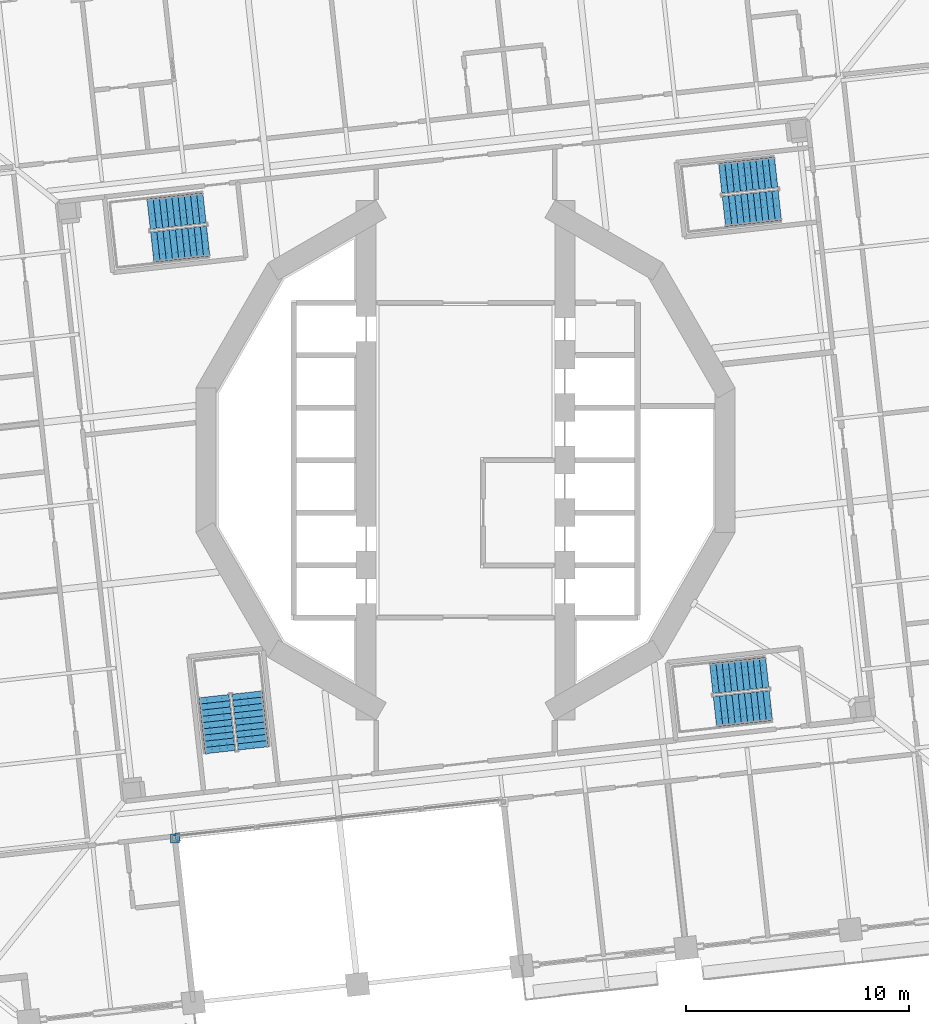
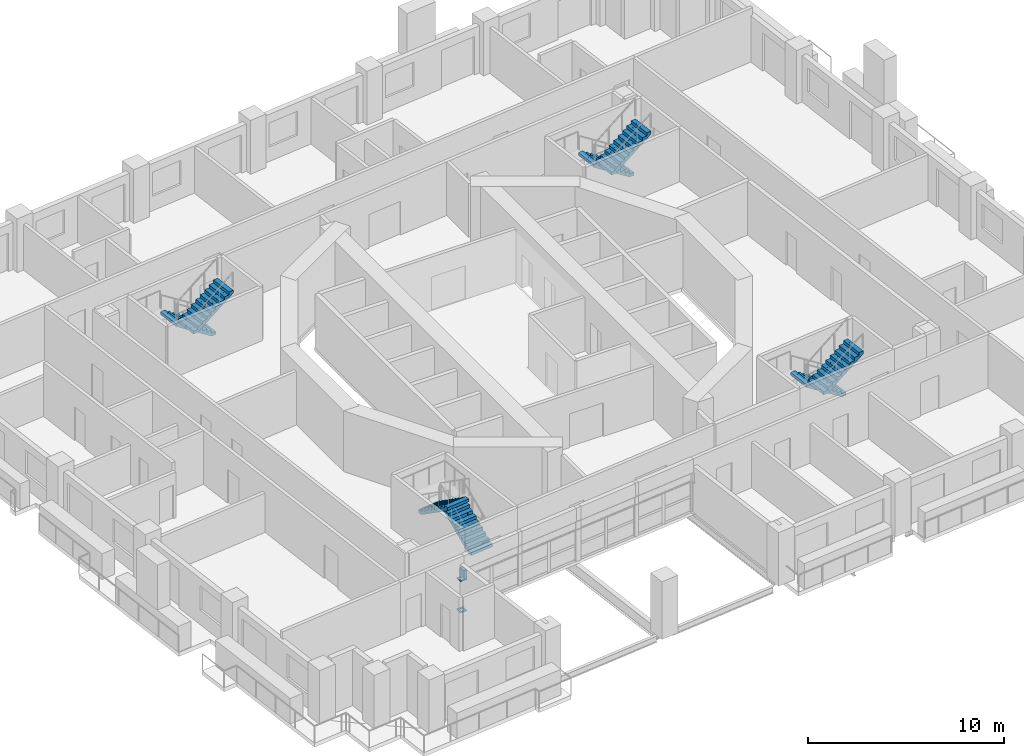
# One storey, part 13 of 21: 8 stair flights, 3 discrete accessories, 4 elements without a shape of their own.
"""IFC4 building model written with IfcOpenShell, lengths in metres."""

from ifc_helpers import new_model, si_unit, direction, frame, origin, place, context, subcontext, project, spatial, polyline, outline, extrude, material, layer, layer_set, type_object, element, aggregate, save


model = new_model("IFC4")

# Units and contexts
model_context = context("Model", 3, precision=1e-05, world=origin(), true_north=direction((0.0, 1.0)))
body_context = subcontext(model_context, "Body", "Model", "MODEL_VIEW")
ifc_project = project(units=[si_unit("LENGTHUNIT", "METRE"), si_unit("AREAUNIT", "SQUARE_METRE"), si_unit("VOLUMEUNIT", "CUBIC_METRE"), si_unit("PLANEANGLEUNIT", "RADIAN"), si_unit("MASSUNIT", "GRAM", prefix="KILO")], contexts=[model_context])

# Site, building, storey
site_placement = place(None, origin())
site = spatial("IfcSite", under=ifc_project, at=site_placement, CompositionType="ELEMENT")
building_placement = place(site_placement, origin())
building = spatial("IfcBuilding", under=site, at=building_placement, Name="Cantera Rosa Tower", CompositionType="ELEMENT")
storey_placement = place(building_placement, frame((0.0, 0.0, 80.5)))
storey = spatial("IfcBuildingStorey", under=building, at=storey_placement, Name="L17", CompositionType="ELEMENT", Elevation=80.5)

# Stair, stair flights
ifc_material_1 = material(Name="Concrete C35/45", Category="concrete")
stair_type = type_object("IfcStairType", Name="EXIT STAIR 1350 DOGLEG", PredefinedType="HALF_TURN_STAIR", material=ifc_material_1)
stair_1_placement = place(storey_placement, origin())
stair_1 = element("IfcStair", 1, at=stair_1_placement, inside=storey, type_object=stair_type, Name="L17 ST-11", PredefinedType="HALF_TURN_STAIR")
ifc_material_2 = material(Name="Concrete C35/45", Category="concrete")
stair_flight_type = type_object("IfcStairFlightType", Name="STAIR FLIGHT 1350 R20x190", PredefinedType="STRAIGHT", material=ifc_material_2)
stair_flight_1_placement = place(storey_placement, frame((13.90869140625, 12.89990234375, 0.0), z_axis=(0.0, 0.0, 1.0), x_axis=(-0.993896947056, -0.110312549749, 0.0)))
stair_flight_1 = element("IfcStairFlight", 2, at=stair_flight_1_placement, type_object=stair_flight_type, Name="ST-11 flight 1", NumberOfRisers=10, NumberOfTreads=9, PredefinedType="STRAIGHT", RiserHeight=0.19, TreadLength=0.28, context=body_context, shape_type="SweptSolid", body=[
    extrude(outline(polyline([(0.0, 0.0), (0.0, 0.18994140625), (0.280029296875, 0.18994140625), (0.280029296875, 0.3798828125), (0.56005859375, 0.3798828125), (0.56005859375, 0.570068359375), (0.840087890625, 0.570068359375), (0.840087890625, 0.760009765625), (1.1201171875, 0.760009765625), (1.1201171875, 0.949951171875), (1.39990234375, 0.949951171875), (1.39990234375, 1.139892578125), (1.679931640625, 1.139892578125), (1.679931640625, 1.330078125), (1.9599609375, 1.330078125), (1.9599609375, 1.52001953125), (2.239990234375, 1.52001953125), (2.239990234375, 1.7099609375), (2.52001953125, 1.7099609375), (2.52001953125, 1.89990234375), (2.52001953125, 1.52880859375), (0.266845703125, 0.0), (0.0, 0.0)])), frame((0.0, 0.675048828125, 0.0), z_axis=(0.0, -1.0, 0.0), x_axis=(1.0, 0.0, 0.0)), (0.0, 0.0, 1.0), 0.3359375),
    extrude(outline(polyline([(0.0, 0.0), (0.0, 0.18994140625), (0.280029296875, 0.18994140625), (0.280029296875, 0.3798828125), (0.56005859375, 0.3798828125), (0.56005859375, 0.570068359375), (0.840087890625, 0.570068359375), (0.840087890625, 0.760009765625), (1.1201171875, 0.760009765625), (1.1201171875, 0.949951171875), (1.39990234375, 0.949951171875), (1.39990234375, 1.139892578125), (1.679931640625, 1.139892578125), (1.679931640625, 1.330078125), (1.9599609375, 1.330078125), (1.9599609375, 1.52001953125), (2.239990234375, 1.52001953125), (2.239990234375, 1.7099609375), (2.52001953125, 1.7099609375), (2.52001953125, 1.89990234375), (2.52001953125, 1.52880859375), (0.266845703125, 0.0), (0.0, 0.0)])), frame((0.0, 0.337158203125, 0.0), z_axis=(0.0, -1.0, 0.0), x_axis=(1.0, 0.0, 0.0)), (0.0, 0.0, 1.0), 0.3359375),
    extrude(outline(polyline([(0.0, 0.0), (0.0, 0.18994140625), (0.280029296875, 0.18994140625), (0.280029296875, 0.3798828125), (0.56005859375, 0.3798828125), (0.56005859375, 0.570068359375), (0.840087890625, 0.570068359375), (0.840087890625, 0.760009765625), (1.1201171875, 0.760009765625), (1.1201171875, 0.949951171875), (1.39990234375, 0.949951171875), (1.39990234375, 1.139892578125), (1.679931640625, 1.139892578125), (1.679931640625, 1.330078125), (1.9599609375, 1.330078125), (1.9599609375, 1.52001953125), (2.239990234375, 1.52001953125), (2.239990234375, 1.7099609375), (2.52001953125, 1.7099609375), (2.52001953125, 1.89990234375), (2.52001953125, 1.52880859375), (0.266845703125, 0.0), (0.0, 0.0)])), frame((0.0, -0.000732421875, 0.0), z_axis=(0.0, -1.0, 0.0), x_axis=(1.0, 0.0, 0.0)), (0.0, 0.0, 1.0), 0.3359375),
    extrude(outline(polyline([(0.0, 0.0), (0.0, 0.18994140625), (0.280029296875, 0.18994140625), (0.280029296875, 0.3798828125), (0.56005859375, 0.3798828125), (0.56005859375, 0.570068359375), (0.840087890625, 0.570068359375), (0.840087890625, 0.760009765625), (1.1201171875, 0.760009765625), (1.1201171875, 0.949951171875), (1.39990234375, 0.949951171875), (1.39990234375, 1.139892578125), (1.679931640625, 1.139892578125), (1.679931640625, 1.330078125), (1.9599609375, 1.330078125), (1.9599609375, 1.52001953125), (2.239990234375, 1.52001953125), (2.239990234375, 1.7099609375), (2.52001953125, 1.7099609375), (2.52001953125, 1.89990234375), (2.52001953125, 1.52880859375), (0.266845703125, 0.0), (0.0, 0.0)])), frame((0.0, -0.338623046875, 0.0), z_axis=(0.0, -1.0, 0.0), x_axis=(1.0, 0.0, 0.0)), (0.0, 0.0, 1.0), 0.3359375),
])
stair_flight_2_placement = place(storey_placement, frame((11.569580078125, 11.131103515625, 1.89990234375), z_axis=(0.0, 0.0, 1.0), x_axis=(0.993896947056, 0.110312549749, 0.0)))
stair_flight_2 = element("IfcStairFlight", 3, at=stair_flight_2_placement, type_object=stair_flight_type, Name="ST-11 flight 2", NumberOfRisers=10, NumberOfTreads=9, PredefinedType="STRAIGHT", RiserHeight=0.19, TreadLength=0.28, context=body_context, shape_type="SweptSolid", body=[
    extrude(outline(polyline([(0.0, 0.0), (0.0, 0.18994140625), (0.280029296875, 0.18994140625), (0.280029296875, 0.3798828125), (0.56005859375, 0.3798828125), (0.56005859375, 0.570068359375), (0.840087890625, 0.570068359375), (0.840087890625, 0.760009765625), (1.1201171875, 0.760009765625), (1.1201171875, 0.949951171875), (1.39990234375, 0.949951171875), (1.39990234375, 1.139892578125), (1.679931640625, 1.139892578125), (1.679931640625, 1.330078125), (1.9599609375, 1.330078125), (1.9599609375, 1.52001953125), (2.239990234375, 1.52001953125), (2.239990234375, 1.7099609375), (2.52001953125, 1.7099609375), (2.52001953125, 1.89990234375), (2.52001953125, 1.52880859375), (0.266845703125, 0.0), (0.0, 0.0)])), frame((0.0, 0.675048828125, 0.0), z_axis=(0.0, -1.0, 0.0), x_axis=(1.0, 0.0, 0.0)), (0.0, 0.0, 1.0), 0.3359375),
    extrude(outline(polyline([(0.0, 0.0), (0.0, 0.18994140625), (0.280029296875, 0.18994140625), (0.280029296875, 0.3798828125), (0.56005859375, 0.3798828125), (0.56005859375, 0.570068359375), (0.840087890625, 0.570068359375), (0.840087890625, 0.760009765625), (1.1201171875, 0.760009765625), (1.1201171875, 0.949951171875), (1.39990234375, 0.949951171875), (1.39990234375, 1.139892578125), (1.679931640625, 1.139892578125), (1.679931640625, 1.330078125), (1.9599609375, 1.330078125), (1.9599609375, 1.52001953125), (2.239990234375, 1.52001953125), (2.239990234375, 1.7099609375), (2.52001953125, 1.7099609375), (2.52001953125, 1.89990234375), (2.52001953125, 1.52880859375), (0.266845703125, 0.0), (0.0, 0.0)])), frame((0.0, 0.337158203125, 0.0), z_axis=(0.0, -1.0, 0.0), x_axis=(1.0, 0.0, 0.0)), (0.0, 0.0, 1.0), 0.3359375),
    extrude(outline(polyline([(0.0, 0.0), (0.0, 0.18994140625), (0.280029296875, 0.18994140625), (0.280029296875, 0.3798828125), (0.56005859375, 0.3798828125), (0.56005859375, 0.570068359375), (0.840087890625, 0.570068359375), (0.840087890625, 0.760009765625), (1.1201171875, 0.760009765625), (1.1201171875, 0.949951171875), (1.39990234375, 0.949951171875), (1.39990234375, 1.139892578125), (1.679931640625, 1.139892578125), (1.679931640625, 1.330078125), (1.9599609375, 1.330078125), (1.9599609375, 1.52001953125), (2.239990234375, 1.52001953125), (2.239990234375, 1.7099609375), (2.52001953125, 1.7099609375), (2.52001953125, 1.89990234375), (2.52001953125, 1.52880859375), (0.266845703125, 0.0), (0.0, 0.0)])), frame((0.0, -0.000732421875, 0.0), z_axis=(0.0, -1.0, 0.0), x_axis=(1.0, 0.0, 0.0)), (0.0, 0.0, 1.0), 0.3359375),
    extrude(outline(polyline([(0.0, 0.0), (0.0, 0.18994140625), (0.280029296875, 0.18994140625), (0.280029296875, 0.3798828125), (0.56005859375, 0.3798828125), (0.56005859375, 0.570068359375), (0.840087890625, 0.570068359375), (0.840087890625, 0.760009765625), (1.1201171875, 0.760009765625), (1.1201171875, 0.949951171875), (1.39990234375, 0.949951171875), (1.39990234375, 1.139892578125), (1.679931640625, 1.139892578125), (1.679931640625, 1.330078125), (1.9599609375, 1.330078125), (1.9599609375, 1.52001953125), (2.239990234375, 1.52001953125), (2.239990234375, 1.7099609375), (2.52001953125, 1.7099609375), (2.52001953125, 1.89990234375), (2.52001953125, 1.52880859375), (0.266845703125, 0.0), (0.0, 0.0)])), frame((0.0, -0.338623046875, 0.0), z_axis=(0.0, -1.0, 0.0), x_axis=(1.0, 0.0, 0.0)), (0.0, 0.0, 1.0), 0.3359375),
])
aggregate(stair_1, [stair_flight_1, stair_flight_2])

stair_2_placement = place(storey_placement, origin())
stair_2 = element("IfcStair", 4, at=stair_2_placement, inside=storey, type_object=stair_type, Name="L17 ST-12", PredefinedType="HALF_TURN_STAIR")
stair_flight_3_placement = place(storey_placement, frame((-11.691162109375, 11.2998046875, 0.0), z_axis=(0.0, 0.0, 1.0), x_axis=(-0.993896947056, -0.110312549749, 0.0)))
stair_flight_3 = element("IfcStairFlight", 5, at=stair_flight_3_placement, type_object=stair_flight_type, Name="ST-12 flight 1", NumberOfRisers=10, NumberOfTreads=9, PredefinedType="STRAIGHT", RiserHeight=0.19, TreadLength=0.28, context=body_context, shape_type="SweptSolid", body=[
    extrude(outline(polyline([(0.0, 0.0), (0.0, 0.18994140625), (0.280029296875, 0.18994140625), (0.280029296875, 0.3798828125), (0.56005859375, 0.3798828125), (0.56005859375, 0.570068359375), (0.840087890625, 0.570068359375), (0.840087890625, 0.760009765625), (1.1201171875, 0.760009765625), (1.1201171875, 0.949951171875), (1.39990234375, 0.949951171875), (1.39990234375, 1.139892578125), (1.679931640625, 1.139892578125), (1.679931640625, 1.330078125), (1.9599609375, 1.330078125), (1.9599609375, 1.52001953125), (2.239990234375, 1.52001953125), (2.239990234375, 1.7099609375), (2.52001953125, 1.7099609375), (2.52001953125, 1.89990234375), (2.52001953125, 1.52880859375), (0.266845703125, 0.0), (0.0, 0.0)])), frame((0.0, 0.675048828125, 0.0), z_axis=(0.0, -1.0, 0.0), x_axis=(1.0, 0.0, 0.0)), (0.0, 0.0, 1.0), 0.3359375),
    extrude(outline(polyline([(0.0, 0.0), (0.0, 0.18994140625), (0.280029296875, 0.18994140625), (0.280029296875, 0.3798828125), (0.56005859375, 0.3798828125), (0.56005859375, 0.570068359375), (0.840087890625, 0.570068359375), (0.840087890625, 0.760009765625), (1.1201171875, 0.760009765625), (1.1201171875, 0.949951171875), (1.39990234375, 0.949951171875), (1.39990234375, 1.139892578125), (1.679931640625, 1.139892578125), (1.679931640625, 1.330078125), (1.9599609375, 1.330078125), (1.9599609375, 1.52001953125), (2.239990234375, 1.52001953125), (2.239990234375, 1.7099609375), (2.52001953125, 1.7099609375), (2.52001953125, 1.89990234375), (2.52001953125, 1.52880859375), (0.266845703125, 0.0), (0.0, 0.0)])), frame((0.0, 0.337158203125, 0.0), z_axis=(0.0, -1.0, 0.0), x_axis=(1.0, 0.0, 0.0)), (0.0, 0.0, 1.0), 0.3359375),
    extrude(outline(polyline([(0.0, 0.0), (0.0, 0.18994140625), (0.280029296875, 0.18994140625), (0.280029296875, 0.3798828125), (0.56005859375, 0.3798828125), (0.56005859375, 0.570068359375), (0.840087890625, 0.570068359375), (0.840087890625, 0.760009765625), (1.1201171875, 0.760009765625), (1.1201171875, 0.949951171875), (1.39990234375, 0.949951171875), (1.39990234375, 1.139892578125), (1.679931640625, 1.139892578125), (1.679931640625, 1.330078125), (1.9599609375, 1.330078125), (1.9599609375, 1.52001953125), (2.239990234375, 1.52001953125), (2.239990234375, 1.7099609375), (2.52001953125, 1.7099609375), (2.52001953125, 1.89990234375), (2.52001953125, 1.52880859375), (0.266845703125, 0.0), (0.0, 0.0)])), frame((0.0, -0.000732421875, 0.0), z_axis=(0.0, -1.0, 0.0), x_axis=(1.0, 0.0, 0.0)), (0.0, 0.0, 1.0), 0.3359375),
    extrude(outline(polyline([(0.0, 0.0), (0.0, 0.18994140625), (0.280029296875, 0.18994140625), (0.280029296875, 0.3798828125), (0.56005859375, 0.3798828125), (0.56005859375, 0.570068359375), (0.840087890625, 0.570068359375), (0.840087890625, 0.760009765625), (1.1201171875, 0.760009765625), (1.1201171875, 0.949951171875), (1.39990234375, 0.949951171875), (1.39990234375, 1.139892578125), (1.679931640625, 1.139892578125), (1.679931640625, 1.330078125), (1.9599609375, 1.330078125), (1.9599609375, 1.52001953125), (2.239990234375, 1.52001953125), (2.239990234375, 1.7099609375), (2.52001953125, 1.7099609375), (2.52001953125, 1.89990234375), (2.52001953125, 1.52880859375), (0.266845703125, 0.0), (0.0, 0.0)])), frame((0.0, -0.338623046875, 0.0), z_axis=(0.0, -1.0, 0.0), x_axis=(1.0, 0.0, 0.0)), (0.0, 0.0, 1.0), 0.3359375),
])
stair_flight_4_placement = place(storey_placement, frame((-14.030517578125, 9.531005859375, 1.89990234375), z_axis=(0.0, 0.0, 1.0), x_axis=(0.993896947056, 0.110312549749, 0.0)))
stair_flight_4 = element("IfcStairFlight", 6, at=stair_flight_4_placement, type_object=stair_flight_type, Name="ST-12 flight 2", NumberOfRisers=10, NumberOfTreads=9, PredefinedType="STRAIGHT", RiserHeight=0.19, TreadLength=0.28, context=body_context, shape_type="SweptSolid", body=[
    extrude(outline(polyline([(0.0, 0.0), (0.0, 0.18994140625), (0.280029296875, 0.18994140625), (0.280029296875, 0.3798828125), (0.56005859375, 0.3798828125), (0.56005859375, 0.570068359375), (0.840087890625, 0.570068359375), (0.840087890625, 0.760009765625), (1.1201171875, 0.760009765625), (1.1201171875, 0.949951171875), (1.39990234375, 0.949951171875), (1.39990234375, 1.139892578125), (1.679931640625, 1.139892578125), (1.679931640625, 1.330078125), (1.9599609375, 1.330078125), (1.9599609375, 1.52001953125), (2.239990234375, 1.52001953125), (2.239990234375, 1.7099609375), (2.52001953125, 1.7099609375), (2.52001953125, 1.89990234375), (2.52001953125, 1.52880859375), (0.266845703125, 0.0), (0.0, 0.0)])), frame((0.0, 0.675048828125, 0.0), z_axis=(0.0, -1.0, 0.0), x_axis=(1.0, 0.0, 0.0)), (0.0, 0.0, 1.0), 0.3359375),
    extrude(outline(polyline([(0.0, 0.0), (0.0, 0.18994140625), (0.280029296875, 0.18994140625), (0.280029296875, 0.3798828125), (0.56005859375, 0.3798828125), (0.56005859375, 0.570068359375), (0.840087890625, 0.570068359375), (0.840087890625, 0.760009765625), (1.1201171875, 0.760009765625), (1.1201171875, 0.949951171875), (1.39990234375, 0.949951171875), (1.39990234375, 1.139892578125), (1.679931640625, 1.139892578125), (1.679931640625, 1.330078125), (1.9599609375, 1.330078125), (1.9599609375, 1.52001953125), (2.239990234375, 1.52001953125), (2.239990234375, 1.7099609375), (2.52001953125, 1.7099609375), (2.52001953125, 1.89990234375), (2.52001953125, 1.52880859375), (0.266845703125, 0.0), (0.0, 0.0)])), frame((0.0, 0.337158203125, 0.0), z_axis=(0.0, -1.0, 0.0), x_axis=(1.0, 0.0, 0.0)), (0.0, 0.0, 1.0), 0.3359375),
    extrude(outline(polyline([(0.0, 0.0), (0.0, 0.18994140625), (0.280029296875, 0.18994140625), (0.280029296875, 0.3798828125), (0.56005859375, 0.3798828125), (0.56005859375, 0.570068359375), (0.840087890625, 0.570068359375), (0.840087890625, 0.760009765625), (1.1201171875, 0.760009765625), (1.1201171875, 0.949951171875), (1.39990234375, 0.949951171875), (1.39990234375, 1.139892578125), (1.679931640625, 1.139892578125), (1.679931640625, 1.330078125), (1.9599609375, 1.330078125), (1.9599609375, 1.52001953125), (2.239990234375, 1.52001953125), (2.239990234375, 1.7099609375), (2.52001953125, 1.7099609375), (2.52001953125, 1.89990234375), (2.52001953125, 1.52880859375), (0.266845703125, 0.0), (0.0, 0.0)])), frame((0.0, -0.000732421875, 0.0), z_axis=(0.0, -1.0, 0.0), x_axis=(1.0, 0.0, 0.0)), (0.0, 0.0, 1.0), 0.3359375),
    extrude(outline(polyline([(0.0, 0.0), (0.0, 0.18994140625), (0.280029296875, 0.18994140625), (0.280029296875, 0.3798828125), (0.56005859375, 0.3798828125), (0.56005859375, 0.570068359375), (0.840087890625, 0.570068359375), (0.840087890625, 0.760009765625), (1.1201171875, 0.760009765625), (1.1201171875, 0.949951171875), (1.39990234375, 0.949951171875), (1.39990234375, 1.139892578125), (1.679931640625, 1.139892578125), (1.679931640625, 1.330078125), (1.9599609375, 1.330078125), (1.9599609375, 1.52001953125), (2.239990234375, 1.52001953125), (2.239990234375, 1.7099609375), (2.52001953125, 1.7099609375), (2.52001953125, 1.89990234375), (2.52001953125, 1.52880859375), (0.266845703125, 0.0), (0.0, 0.0)])), frame((0.0, -0.338623046875, 0.0), z_axis=(0.0, -1.0, 0.0), x_axis=(1.0, 0.0, 0.0)), (0.0, 0.0, 1.0), 0.3359375),
])
aggregate(stair_2, [stair_flight_3, stair_flight_4])

stair_3_placement = place(storey_placement, origin())
stair_3 = element("IfcStair", 7, at=stair_3_placement, inside=storey, type_object=stair_type, Name="L17 ST-13", PredefinedType="HALF_TURN_STAIR")
stair_flight_5_placement = place(storey_placement, frame((-9.500244140625, -12.90869140625, 0.0), z_axis=(0.0, 0.0, 1.0), x_axis=(-0.110312549749, 0.993896947056, 0.0)))
stair_flight_5 = element("IfcStairFlight", 8, at=stair_flight_5_placement, type_object=stair_flight_type, Name="ST-13 flight 1", NumberOfRisers=10, NumberOfTreads=9, PredefinedType="STRAIGHT", RiserHeight=0.19, TreadLength=0.28, context=body_context, shape_type="SweptSolid", body=[
    extrude(outline(polyline([(0.0, 0.0), (0.0, 0.18994140625), (0.280029296875, 0.18994140625), (0.280029296875, 0.3798828125), (0.56005859375, 0.3798828125), (0.56005859375, 0.570068359375), (0.840087890625, 0.570068359375), (0.840087890625, 0.760009765625), (1.1201171875, 0.760009765625), (1.1201171875, 0.949951171875), (1.39990234375, 0.949951171875), (1.39990234375, 1.139892578125), (1.679931640625, 1.139892578125), (1.679931640625, 1.330078125), (1.9599609375, 1.330078125), (1.9599609375, 1.52001953125), (2.239990234375, 1.52001953125), (2.239990234375, 1.7099609375), (2.52001953125, 1.7099609375), (2.52001953125, 1.89990234375), (2.52001953125, 1.52880859375), (0.266845703125, 0.0), (0.0, 0.0)])), frame((0.0, 0.675048828125, 0.0), z_axis=(0.0, -1.0, 0.0), x_axis=(1.0, 0.0, 0.0)), (0.0, 0.0, 1.0), 0.3359375),
    extrude(outline(polyline([(0.0, 0.0), (0.0, 0.18994140625), (0.280029296875, 0.18994140625), (0.280029296875, 0.3798828125), (0.56005859375, 0.3798828125), (0.56005859375, 0.570068359375), (0.840087890625, 0.570068359375), (0.840087890625, 0.760009765625), (1.1201171875, 0.760009765625), (1.1201171875, 0.949951171875), (1.39990234375, 0.949951171875), (1.39990234375, 1.139892578125), (1.679931640625, 1.139892578125), (1.679931640625, 1.330078125), (1.9599609375, 1.330078125), (1.9599609375, 1.52001953125), (2.239990234375, 1.52001953125), (2.239990234375, 1.7099609375), (2.52001953125, 1.7099609375), (2.52001953125, 1.89990234375), (2.52001953125, 1.52880859375), (0.266845703125, 0.0), (0.0, 0.0)])), frame((0.0, 0.337158203125, 0.0), z_axis=(0.0, -1.0, 0.0), x_axis=(1.0, 0.0, 0.0)), (0.0, 0.0, 1.0), 0.3359375),
    extrude(outline(polyline([(0.0, 0.0), (0.0, 0.18994140625), (0.280029296875, 0.18994140625), (0.280029296875, 0.3798828125), (0.56005859375, 0.3798828125), (0.56005859375, 0.570068359375), (0.840087890625, 0.570068359375), (0.840087890625, 0.760009765625), (1.1201171875, 0.760009765625), (1.1201171875, 0.949951171875), (1.39990234375, 0.949951171875), (1.39990234375, 1.139892578125), (1.679931640625, 1.139892578125), (1.679931640625, 1.330078125), (1.9599609375, 1.330078125), (1.9599609375, 1.52001953125), (2.239990234375, 1.52001953125), (2.239990234375, 1.7099609375), (2.52001953125, 1.7099609375), (2.52001953125, 1.89990234375), (2.52001953125, 1.52880859375), (0.266845703125, 0.0), (0.0, 0.0)])), frame((0.0, -0.000732421875, 0.0), z_axis=(0.0, -1.0, 0.0), x_axis=(1.0, 0.0, 0.0)), (0.0, 0.0, 1.0), 0.3359375),
    extrude(outline(polyline([(0.0, 0.0), (0.0, 0.18994140625), (0.280029296875, 0.18994140625), (0.280029296875, 0.3798828125), (0.56005859375, 0.3798828125), (0.56005859375, 0.570068359375), (0.840087890625, 0.570068359375), (0.840087890625, 0.760009765625), (1.1201171875, 0.760009765625), (1.1201171875, 0.949951171875), (1.39990234375, 0.949951171875), (1.39990234375, 1.139892578125), (1.679931640625, 1.139892578125), (1.679931640625, 1.330078125), (1.9599609375, 1.330078125), (1.9599609375, 1.52001953125), (2.239990234375, 1.52001953125), (2.239990234375, 1.7099609375), (2.52001953125, 1.7099609375), (2.52001953125, 1.89990234375), (2.52001953125, 1.52880859375), (0.266845703125, 0.0), (0.0, 0.0)])), frame((0.0, -0.338623046875, 0.0), z_axis=(0.0, -1.0, 0.0), x_axis=(1.0, 0.0, 0.0)), (0.0, 0.0, 1.0), 0.3359375),
])
stair_flight_6_placement = place(storey_placement, frame((-11.26904296875, -10.569580078125, 1.89990234375), z_axis=(0.0, 0.0, 1.0), x_axis=(0.110312549749, -0.993896947056, 0.0)))
stair_flight_6 = element("IfcStairFlight", 9, at=stair_flight_6_placement, type_object=stair_flight_type, Name="ST-13 flight 2", NumberOfRisers=10, NumberOfTreads=9, PredefinedType="STRAIGHT", RiserHeight=0.19, TreadLength=0.28, context=body_context, shape_type="SweptSolid", body=[
    extrude(outline(polyline([(0.0, 0.0), (0.0, 0.18994140625), (0.280029296875, 0.18994140625), (0.280029296875, 0.3798828125), (0.56005859375, 0.3798828125), (0.56005859375, 0.570068359375), (0.840087890625, 0.570068359375), (0.840087890625, 0.760009765625), (1.1201171875, 0.760009765625), (1.1201171875, 0.949951171875), (1.39990234375, 0.949951171875), (1.39990234375, 1.139892578125), (1.679931640625, 1.139892578125), (1.679931640625, 1.330078125), (1.9599609375, 1.330078125), (1.9599609375, 1.52001953125), (2.239990234375, 1.52001953125), (2.239990234375, 1.7099609375), (2.52001953125, 1.7099609375), (2.52001953125, 1.89990234375), (2.52001953125, 1.52880859375), (0.266845703125, 0.0), (0.0, 0.0)])), frame((0.0, 0.675048828125, 0.0), z_axis=(0.0, -1.0, 0.0), x_axis=(1.0, 0.0, 0.0)), (0.0, 0.0, 1.0), 0.3359375),
    extrude(outline(polyline([(0.0, 0.0), (0.0, 0.18994140625), (0.280029296875, 0.18994140625), (0.280029296875, 0.3798828125), (0.56005859375, 0.3798828125), (0.56005859375, 0.570068359375), (0.840087890625, 0.570068359375), (0.840087890625, 0.760009765625), (1.1201171875, 0.760009765625), (1.1201171875, 0.949951171875), (1.39990234375, 0.949951171875), (1.39990234375, 1.139892578125), (1.679931640625, 1.139892578125), (1.679931640625, 1.330078125), (1.9599609375, 1.330078125), (1.9599609375, 1.52001953125), (2.239990234375, 1.52001953125), (2.239990234375, 1.7099609375), (2.52001953125, 1.7099609375), (2.52001953125, 1.89990234375), (2.52001953125, 1.52880859375), (0.266845703125, 0.0), (0.0, 0.0)])), frame((0.0, 0.337158203125, 0.0), z_axis=(0.0, -1.0, 0.0), x_axis=(1.0, 0.0, 0.0)), (0.0, 0.0, 1.0), 0.3359375),
    extrude(outline(polyline([(0.0, 0.0), (0.0, 0.18994140625), (0.280029296875, 0.18994140625), (0.280029296875, 0.3798828125), (0.56005859375, 0.3798828125), (0.56005859375, 0.570068359375), (0.840087890625, 0.570068359375), (0.840087890625, 0.760009765625), (1.1201171875, 0.760009765625), (1.1201171875, 0.949951171875), (1.39990234375, 0.949951171875), (1.39990234375, 1.139892578125), (1.679931640625, 1.139892578125), (1.679931640625, 1.330078125), (1.9599609375, 1.330078125), (1.9599609375, 1.52001953125), (2.239990234375, 1.52001953125), (2.239990234375, 1.7099609375), (2.52001953125, 1.7099609375), (2.52001953125, 1.89990234375), (2.52001953125, 1.52880859375), (0.266845703125, 0.0), (0.0, 0.0)])), frame((0.0, -0.000732421875, 0.0), z_axis=(0.0, -1.0, 0.0), x_axis=(1.0, 0.0, 0.0)), (0.0, 0.0, 1.0), 0.3359375),
    extrude(outline(polyline([(0.0, 0.0), (0.0, 0.18994140625), (0.280029296875, 0.18994140625), (0.280029296875, 0.3798828125), (0.56005859375, 0.3798828125), (0.56005859375, 0.570068359375), (0.840087890625, 0.570068359375), (0.840087890625, 0.760009765625), (1.1201171875, 0.760009765625), (1.1201171875, 0.949951171875), (1.39990234375, 0.949951171875), (1.39990234375, 1.139892578125), (1.679931640625, 1.139892578125), (1.679931640625, 1.330078125), (1.9599609375, 1.330078125), (1.9599609375, 1.52001953125), (2.239990234375, 1.52001953125), (2.239990234375, 1.7099609375), (2.52001953125, 1.7099609375), (2.52001953125, 1.89990234375), (2.52001953125, 1.52880859375), (0.266845703125, 0.0), (0.0, 0.0)])), frame((0.0, -0.338623046875, 0.0), z_axis=(0.0, -1.0, 0.0), x_axis=(1.0, 0.0, 0.0)), (0.0, 0.0, 1.0), 0.3359375),
])
aggregate(stair_3, [stair_flight_5, stair_flight_6])

stair_4_placement = place(storey_placement, origin())
stair_4 = element("IfcStair", 10, at=stair_4_placement, inside=storey, type_object=stair_type, Name="L17 ST-14", PredefinedType="HALF_TURN_STAIR")
stair_flight_7_placement = place(storey_placement, frame((13.5087890625, -9.500244140625, 0.0), z_axis=(0.0, 0.0, 1.0), x_axis=(-0.993896947056, -0.110312549749, 0.0)))
stair_flight_7 = element("IfcStairFlight", 11, at=stair_flight_7_placement, type_object=stair_flight_type, Name="ST-14 flight 1", NumberOfRisers=10, NumberOfTreads=9, PredefinedType="STRAIGHT", RiserHeight=0.19, TreadLength=0.28, context=body_context, shape_type="SweptSolid", body=[
    extrude(outline(polyline([(0.0, 0.0), (0.0, 0.18994140625), (0.280029296875, 0.18994140625), (0.280029296875, 0.3798828125), (0.56005859375, 0.3798828125), (0.56005859375, 0.570068359375), (0.840087890625, 0.570068359375), (0.840087890625, 0.760009765625), (1.1201171875, 0.760009765625), (1.1201171875, 0.949951171875), (1.39990234375, 0.949951171875), (1.39990234375, 1.139892578125), (1.679931640625, 1.139892578125), (1.679931640625, 1.330078125), (1.9599609375, 1.330078125), (1.9599609375, 1.52001953125), (2.239990234375, 1.52001953125), (2.239990234375, 1.7099609375), (2.52001953125, 1.7099609375), (2.52001953125, 1.89990234375), (2.52001953125, 1.52880859375), (0.266845703125, 0.0), (0.0, 0.0)])), frame((0.0, 0.675048828125, 0.0), z_axis=(0.0, -1.0, 0.0), x_axis=(1.0, 0.0, 0.0)), (0.0, 0.0, 1.0), 0.3359375),
    extrude(outline(polyline([(0.0, 0.0), (0.0, 0.18994140625), (0.280029296875, 0.18994140625), (0.280029296875, 0.3798828125), (0.56005859375, 0.3798828125), (0.56005859375, 0.570068359375), (0.840087890625, 0.570068359375), (0.840087890625, 0.760009765625), (1.1201171875, 0.760009765625), (1.1201171875, 0.949951171875), (1.39990234375, 0.949951171875), (1.39990234375, 1.139892578125), (1.679931640625, 1.139892578125), (1.679931640625, 1.330078125), (1.9599609375, 1.330078125), (1.9599609375, 1.52001953125), (2.239990234375, 1.52001953125), (2.239990234375, 1.7099609375), (2.52001953125, 1.7099609375), (2.52001953125, 1.89990234375), (2.52001953125, 1.52880859375), (0.266845703125, 0.0), (0.0, 0.0)])), frame((0.0, 0.337158203125, 0.0), z_axis=(0.0, -1.0, 0.0), x_axis=(1.0, 0.0, 0.0)), (0.0, 0.0, 1.0), 0.3359375),
    extrude(outline(polyline([(0.0, 0.0), (0.0, 0.18994140625), (0.280029296875, 0.18994140625), (0.280029296875, 0.3798828125), (0.56005859375, 0.3798828125), (0.56005859375, 0.570068359375), (0.840087890625, 0.570068359375), (0.840087890625, 0.760009765625), (1.1201171875, 0.760009765625), (1.1201171875, 0.949951171875), (1.39990234375, 0.949951171875), (1.39990234375, 1.139892578125), (1.679931640625, 1.139892578125), (1.679931640625, 1.330078125), (1.9599609375, 1.330078125), (1.9599609375, 1.52001953125), (2.239990234375, 1.52001953125), (2.239990234375, 1.7099609375), (2.52001953125, 1.7099609375), (2.52001953125, 1.89990234375), (2.52001953125, 1.52880859375), (0.266845703125, 0.0), (0.0, 0.0)])), frame((0.0, -0.000732421875, 0.0), z_axis=(0.0, -1.0, 0.0), x_axis=(1.0, 0.0, 0.0)), (0.0, 0.0, 1.0), 0.3359375),
    extrude(outline(polyline([(0.0, 0.0), (0.0, 0.18994140625), (0.280029296875, 0.18994140625), (0.280029296875, 0.3798828125), (0.56005859375, 0.3798828125), (0.56005859375, 0.570068359375), (0.840087890625, 0.570068359375), (0.840087890625, 0.760009765625), (1.1201171875, 0.760009765625), (1.1201171875, 0.949951171875), (1.39990234375, 0.949951171875), (1.39990234375, 1.139892578125), (1.679931640625, 1.139892578125), (1.679931640625, 1.330078125), (1.9599609375, 1.330078125), (1.9599609375, 1.52001953125), (2.239990234375, 1.52001953125), (2.239990234375, 1.7099609375), (2.52001953125, 1.7099609375), (2.52001953125, 1.89990234375), (2.52001953125, 1.52880859375), (0.266845703125, 0.0), (0.0, 0.0)])), frame((0.0, -0.338623046875, 0.0), z_axis=(0.0, -1.0, 0.0), x_axis=(1.0, 0.0, 0.0)), (0.0, 0.0, 1.0), 0.3359375),
])
stair_flight_8_placement = place(storey_placement, frame((11.169677734375, -11.26904296875, 1.89990234375), z_axis=(0.0, 0.0, 1.0), x_axis=(0.993896947056, 0.110312549749, 0.0)))
stair_flight_8 = element("IfcStairFlight", 12, at=stair_flight_8_placement, type_object=stair_flight_type, Name="ST-14 flight 2", NumberOfRisers=10, NumberOfTreads=9, PredefinedType="STRAIGHT", RiserHeight=0.19, TreadLength=0.28, context=body_context, shape_type="SweptSolid", body=[
    extrude(outline(polyline([(0.0, 0.0), (0.0, 0.18994140625), (0.280029296875, 0.18994140625), (0.280029296875, 0.3798828125), (0.56005859375, 0.3798828125), (0.56005859375, 0.570068359375), (0.840087890625, 0.570068359375), (0.840087890625, 0.760009765625), (1.1201171875, 0.760009765625), (1.1201171875, 0.949951171875), (1.39990234375, 0.949951171875), (1.39990234375, 1.139892578125), (1.679931640625, 1.139892578125), (1.679931640625, 1.330078125), (1.9599609375, 1.330078125), (1.9599609375, 1.52001953125), (2.239990234375, 1.52001953125), (2.239990234375, 1.7099609375), (2.52001953125, 1.7099609375), (2.52001953125, 1.89990234375), (2.52001953125, 1.52880859375), (0.266845703125, 0.0), (0.0, 0.0)])), frame((0.0, 0.675048828125, 0.0), z_axis=(0.0, -1.0, 0.0), x_axis=(1.0, 0.0, 0.0)), (0.0, 0.0, 1.0), 0.3359375),
    extrude(outline(polyline([(0.0, 0.0), (0.0, 0.18994140625), (0.280029296875, 0.18994140625), (0.280029296875, 0.3798828125), (0.56005859375, 0.3798828125), (0.56005859375, 0.570068359375), (0.840087890625, 0.570068359375), (0.840087890625, 0.760009765625), (1.1201171875, 0.760009765625), (1.1201171875, 0.949951171875), (1.39990234375, 0.949951171875), (1.39990234375, 1.139892578125), (1.679931640625, 1.139892578125), (1.679931640625, 1.330078125), (1.9599609375, 1.330078125), (1.9599609375, 1.52001953125), (2.239990234375, 1.52001953125), (2.239990234375, 1.7099609375), (2.52001953125, 1.7099609375), (2.52001953125, 1.89990234375), (2.52001953125, 1.52880859375), (0.266845703125, 0.0), (0.0, 0.0)])), frame((0.0, 0.337158203125, 0.0), z_axis=(0.0, -1.0, 0.0), x_axis=(1.0, 0.0, 0.0)), (0.0, 0.0, 1.0), 0.3359375),
    extrude(outline(polyline([(0.0, 0.0), (0.0, 0.18994140625), (0.280029296875, 0.18994140625), (0.280029296875, 0.3798828125), (0.56005859375, 0.3798828125), (0.56005859375, 0.570068359375), (0.840087890625, 0.570068359375), (0.840087890625, 0.760009765625), (1.1201171875, 0.760009765625), (1.1201171875, 0.949951171875), (1.39990234375, 0.949951171875), (1.39990234375, 1.139892578125), (1.679931640625, 1.139892578125), (1.679931640625, 1.330078125), (1.9599609375, 1.330078125), (1.9599609375, 1.52001953125), (2.239990234375, 1.52001953125), (2.239990234375, 1.7099609375), (2.52001953125, 1.7099609375), (2.52001953125, 1.89990234375), (2.52001953125, 1.52880859375), (0.266845703125, 0.0), (0.0, 0.0)])), frame((0.0, -0.000732421875, 0.0), z_axis=(0.0, -1.0, 0.0), x_axis=(1.0, 0.0, 0.0)), (0.0, 0.0, 1.0), 0.3359375),
    extrude(outline(polyline([(0.0, 0.0), (0.0, 0.18994140625), (0.280029296875, 0.18994140625), (0.280029296875, 0.3798828125), (0.56005859375, 0.3798828125), (0.56005859375, 0.570068359375), (0.840087890625, 0.570068359375), (0.840087890625, 0.760009765625), (1.1201171875, 0.760009765625), (1.1201171875, 0.949951171875), (1.39990234375, 0.949951171875), (1.39990234375, 1.139892578125), (1.679931640625, 1.139892578125), (1.679931640625, 1.330078125), (1.9599609375, 1.330078125), (1.9599609375, 1.52001953125), (2.239990234375, 1.52001953125), (2.239990234375, 1.7099609375), (2.52001953125, 1.7099609375), (2.52001953125, 1.89990234375), (2.52001953125, 1.52880859375), (0.266845703125, 0.0), (0.0, 0.0)])), frame((0.0, -0.338623046875, 0.0), z_axis=(0.0, -1.0, 0.0), x_axis=(1.0, 0.0, 0.0)), (0.0, 0.0, 1.0), 0.3359375),
])
aggregate(stair_4, [stair_flight_7, stair_flight_8])

# Discrete accessories
ifc_material_3 = material(Name="Steel ASTM A992 (Fy 345 MPa)", Category="steel")
ifc_layer = layer(ifc_material_3, 0.0400390625)
ifc_layer_set = layer_set([ifc_layer], Name="STEEL BEARING PLATE 40")
discrete_accessory_type = type_object("IfcDiscreteAccessoryType", Name="STEEL BEARING PLATE 40", PredefinedType="ANCHORPLATE", material=ifc_layer_set)
for number, where, name in (
    (13, (0.0, 0.0, 0.0), "POST PLATE L17-1F"),
    (14, (0.0, 0.0, 1.947998046875), "POST PLATE L17-1T"),
):
    element("IfcDiscreteAccessory", number, at=place(storey_placement, frame(where)), inside=storey, type_object=discrete_accessory_type, Name=name, PredefinedType="ANCHORPLATE", context=body_context, shape_type="SweptSolid", body=[
        extrude(outline(polyline([(-13.2109375, -17.138671875), (-12.810791015625, -17.138671875), (-12.810791015625, -16.738525390625), (-13.2109375, -16.738525390625), (-13.2109375, -17.138671875)]), holes=[polyline([(-13.11083984375, -17.03857421875), (-12.910888671875, -17.03857421875), (-12.910888671875, -16.838623046875), (-13.11083984375, -16.838623046875), (-13.11083984375, -17.03857421875)])]), origin(), (0.0, 0.0, 1.0), 0.0400390625),
    ])
discrete_accessory_placement = place(storey_placement, frame((0.0, 0.0, 1.988037109375)))
element("IfcDiscreteAccessory", 15, at=discrete_accessory_placement, inside=storey, type_object=discrete_accessory_type, Name="LINTEL PLATE L17-1", PredefinedType="ANCHORPLATE", context=body_context, shape_type="SweptSolid", body=[
    extrude(outline(polyline([(-12.81298828125, -16.68212890625), (-13.01171875, -16.704345703125), (-12.97119140625, -17.068115234375), (-12.772705078125, -17.0458984375), (-12.81298828125, -16.68212890625)])), origin(), (0.0, 0.0, 1.0), 0.528076171875),
])

save(model, "model.ifc")
